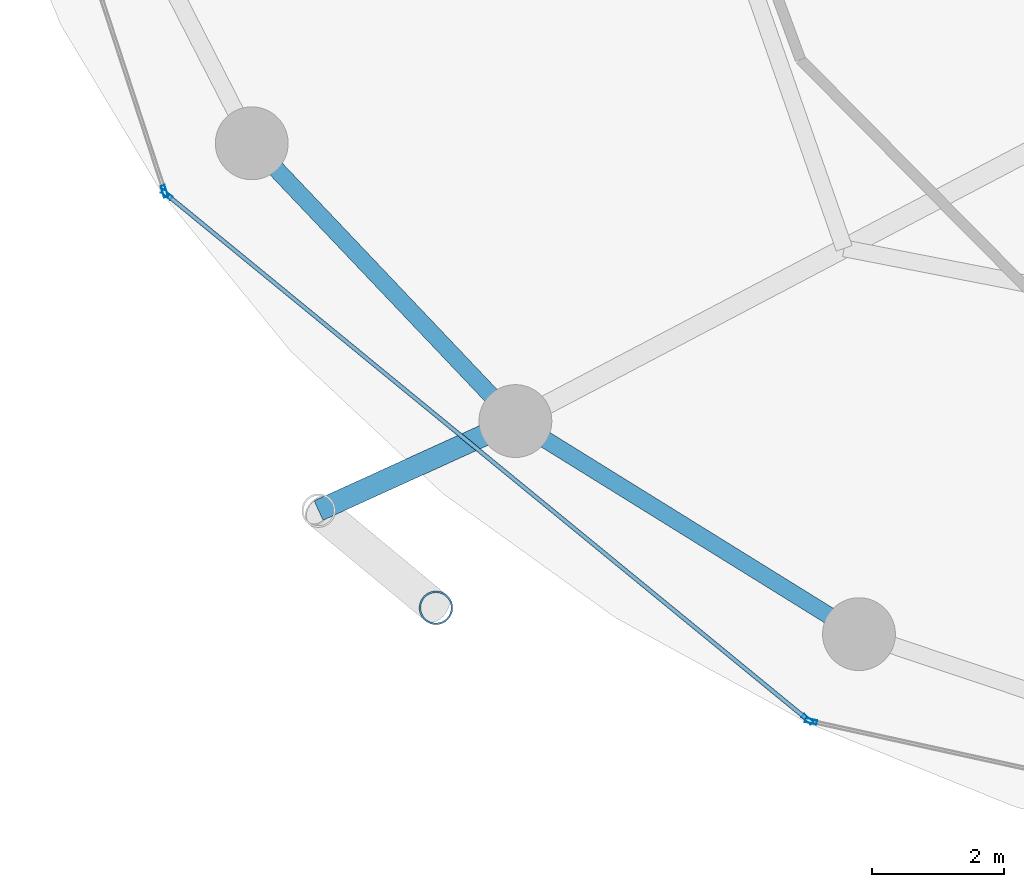
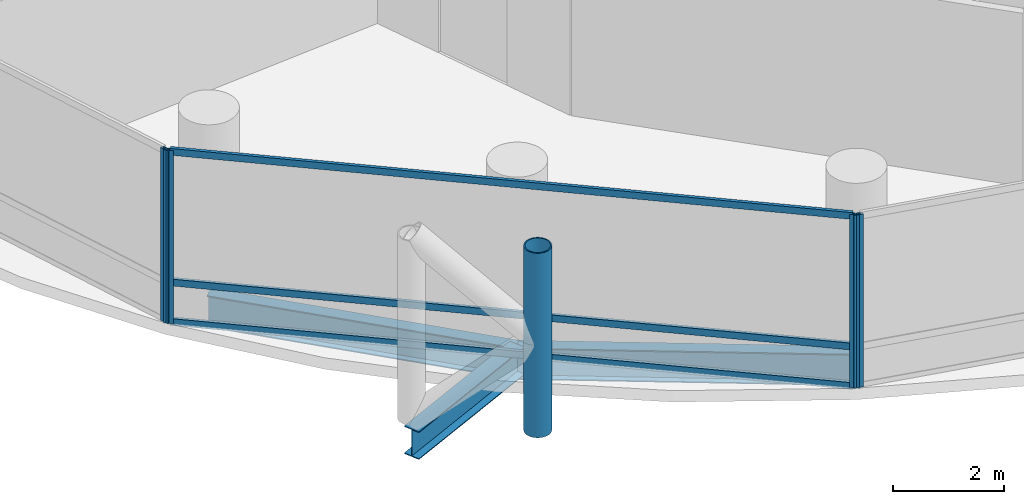
# One storey, part 2 of 24: 8 members, 3 beams, 3 elements without a shape of their own.
"""IFC4 building model written with IfcOpenShell, lengths in metres."""

from ifc_helpers import new_model, si_unit, direction, frame, origin, origin_2d, place, context, subcontext, project, spatial, hollow_rectangle, hollow_circle, i_section, extrude, material, layer, layer_set, material_profile, profile_set, type_object, element, aggregate, save


model = new_model("IFC4")

# Units and contexts
model_context = context("Model", 3, precision=1e-05, world=origin(), true_north=direction((0.0, 1.0)))
body_context = subcontext(model_context, "Body", "Model", "MODEL_VIEW")
ifc_project = project(units=[si_unit("LENGTHUNIT", "METRE"), si_unit("AREAUNIT", "SQUARE_METRE"), si_unit("VOLUMEUNIT", "CUBIC_METRE"), si_unit("PLANEANGLEUNIT", "RADIAN"), si_unit("MASSUNIT", "GRAM", prefix="KILO")], contexts=[model_context])

# Site, building, storey
site_placement = place(None, origin())
site = spatial("IfcSite", under=ifc_project, at=site_placement, CompositionType="ELEMENT")
building_placement = place(site_placement, origin())
building = spatial("IfcBuilding", under=site, at=building_placement, Name="Nuhasar Tower", CompositionType="ELEMENT")
storey_placement = place(building_placement, frame((0.0, 0.0, 89.85009765625)))
storey = spatial("IfcBuildingStorey", under=building, at=storey_placement, Name="L21", CompositionType="ELEMENT", Elevation=89.85009765625)

# Beams
ifc_material_1 = material(Name="Steel S355", Category="steel")
ifc_material_profile_1 = material_profile(ifc_material_1, i_section(OverallWidth=0.256103515625, OverallDepth=0.693115234375, WebThickness=0.014404296875, FlangeThickness=0.023681640625, at=origin_2d()), Name="W27X114")
ifc_profile_set_1 = profile_set([ifc_material_profile_1], Name="Steel S355")
beam_type_1 = type_object("IfcBeamType", Name="BM-RING-W27X114", PredefinedType="SPANDREL", material=ifc_profile_set_1)
beam_1_placement = place(storey_placement, frame((17.305908203125, 16.675048828125, -0.59716796875), z_axis=(0.688459812429, -0.725274490569, 0.0), x_axis=(0.725274490569, 0.688459812429, 0.0)))
element("IfcBeam", 1, at=beam_1_placement, inside=storey, type_object=beam_type_1, Name="L21 Perimeter Ring Spandrel 15", PredefinedType="SPANDREL", context=body_context, shape_type="SweptSolid", body=[
    extrude(i_section(OverallWidth=0.256103515625, OverallDepth=0.693115234375, WebThickness=0.014404296875, FlangeThickness=0.023681640625, at=origin_2d()), origin(), (0.0, 0.0, 1.0), 5.78271484375),
])
beam_2_placement = place(storey_placement, frame((21.287109375, 12.48095703125, -0.59716796875), z_axis=(0.849795216549, -0.527112976439, 0.0), x_axis=(0.527112976439, 0.849795216549, 0.0)))
element("IfcBeam", 2, at=beam_2_placement, inside=storey, type_object=beam_type_1, Name="L21 Perimeter Ring Spandrel 16", PredefinedType="SPANDREL", context=body_context, shape_type="SweptSolid", body=[
    extrude(i_section(OverallWidth=0.256103515625, OverallDepth=0.693115234375, WebThickness=0.014404296875, FlangeThickness=0.023681640625, at=origin_2d()), origin(), (0.0, 0.0, 1.0), 6.10498046875),
])
ifc_material_profile_2 = material_profile(ifc_material_1, i_section(OverallWidth=0.323974609375, OverallDepth=0.611083984375, WebThickness=0.0126953125, FlangeThickness=0.01904296875, at=origin_2d()), Name="W24X104")
ifc_profile_set_2 = profile_set([ifc_material_profile_2], Name="Steel S355")
beam_type_2 = type_object("IfcBeamType", Name="BM-TIE-W24X104", PredefinedType="BEAM", material=ifc_profile_set_2)
beam_3_placement = place(storey_placement, frame((21.287109375, 12.48095703125, -0.55615234375), z_axis=(-0.910243528587, -0.414073325227, 0.0), x_axis=(0.414073325227, -0.910243528587, 0.0)))
element("IfcBeam", 3, at=beam_3_placement, inside=storey, type_object=beam_type_2, Name="L21 Exoskeleton Node Tie Beam 08", PredefinedType="BEAM", context=body_context, shape_type="SweptSolid", body=[
    extrude(i_section(OverallWidth=0.323974609375, OverallDepth=0.611083984375, WebThickness=0.0126953125, FlangeThickness=0.01904296875, at=origin_2d()), origin(), (0.0, 0.0, 1.0), 3.26513671875),
])

# Curtain wall, member
ifc_material_2 = material(Name="Aluminium 6063-T6", Category="aluminium")
ifc_layer = layer(ifc_material_2, 0.199951171875)
ifc_layer_set = layer_set([ifc_layer], Name="Aluminium 6063-T6")
curtain_wall_type = type_object("IfcCurtainWallType", Name="CW-Z1-OFF", PredefinedType="NOTDEFINED", material=ifc_layer_set)
curtain_wall_1_placement = place(storey_placement, origin())
curtain_wall_1 = element("IfcCurtainWall", 4, at=curtain_wall_1_placement, inside=storey, type_object=curtain_wall_type, Name="L21 Unitised Curtain Wall 07", PredefinedType="NOTDEFINED")
ifc_material_profile_3 = material_profile(ifc_material_2, hollow_rectangle(XDim=0.06494140625, YDim=0.179931640625, WallThickness=0.0048828125, at=origin_2d()), Name="CWM-2")
ifc_profile_set_3 = profile_set([ifc_material_profile_3], Name="Aluminium 6063-T6")
member_type_1 = type_object("IfcMemberType", Name="CW-MUL-S2", PredefinedType="MULLION", material=ifc_profile_set_3)
member_1_placement = place(storey_placement, frame((15.98779296875, 15.950927734375, 0.0), z_axis=(0.0, 0.0, 1.0), x_axis=(0.950467534571, 0.310823849997, 0.0)))
member_1 = element("IfcMember", 5, at=member_1_placement, type_object=member_type_1, Name="CW-Z1 mullion 2", PredefinedType="MULLION", context=body_context, shape_type="SweptSolid", body=[
    extrude(hollow_rectangle(XDim=0.06494140625, YDim=0.179931640625, WallThickness=0.0048828125, at=origin_2d()), origin(), (0.0, 0.0, 1.0), 3.7998046875),
])
aggregate(curtain_wall_1, [member_1])

# Curtain wall, members
curtain_wall_2_placement = place(storey_placement, origin())
curtain_wall_2 = element("IfcCurtainWall", 6, at=curtain_wall_2_placement, inside=storey, type_object=curtain_wall_type, Name="L21 Unitised Curtain Wall 08", PredefinedType="NOTDEFINED")
member_2_placement = place(storey_placement, frame((16.023193359375, 15.8994140625, 0.0), z_axis=(0.0, 0.0, 1.0), x_axis=(0.633744593376, 0.773542364946, 0.0)))
member_2 = element("IfcMember", 7, at=member_2_placement, type_object=member_type_1, Name="CW-Z1 mullion 1", PredefinedType="MULLION", context=body_context, shape_type="SweptSolid", body=[
    extrude(hollow_rectangle(XDim=0.06494140625, YDim=0.179931640625, WallThickness=0.0048828125, at=origin_2d()), origin(), (0.0, 0.0, 1.0), 3.7998046875),
])
member_3_placement = place(storey_placement, frame((25.69482421875, 7.9755859375, 0.0), z_axis=(0.0, 0.0, 1.0), x_axis=(0.633744593376, 0.773542364946, 0.0)))
member_3 = element("IfcMember", 8, at=member_3_placement, type_object=member_type_1, Name="CW-Z1 mullion 2", PredefinedType="MULLION", context=body_context, shape_type="SweptSolid", body=[
    extrude(hollow_rectangle(XDim=0.06494140625, YDim=0.179931640625, WallThickness=0.0048828125, at=origin_2d()), origin(), (0.0, 0.0, 1.0), 3.7998046875),
])

# Curtain wall, member
curtain_wall_3_placement = place(storey_placement, origin())
curtain_wall_3 = element("IfcCurtainWall", 9, at=curtain_wall_3_placement, inside=storey, type_object=curtain_wall_type, Name="L21 Unitised Curtain Wall 09", PredefinedType="NOTDEFINED")
member_4_placement = place(storey_placement, frame((25.751708984375, 7.947998046875, 0.0), z_axis=(0.0, 0.0, 1.0), x_axis=(0.214398737637, 0.976746221544, 0.0)))
member_4 = element("IfcMember", 10, at=member_4_placement, type_object=member_type_1, Name="CW-Z1 mullion 1", PredefinedType="MULLION", context=body_context, shape_type="SweptSolid", body=[
    extrude(hollow_rectangle(XDim=0.06494140625, YDim=0.179931640625, WallThickness=0.0048828125, at=origin_2d()), origin(), (0.0, 0.0, 1.0), 3.7998046875),
])
aggregate(curtain_wall_3, [member_4])

# Member
ifc_material_profile_4 = material_profile(ifc_material_2, hollow_rectangle(XDim=0.06494140625, YDim=0.14990234375, WallThickness=0.00439453125, at=origin_2d()), Name="CWT-2")
ifc_profile_set_4 = profile_set([ifc_material_profile_4], Name="Aluminium 6063-T6")
member_type_2 = type_object("IfcMemberType", Name="CW-TRN-S2", PredefinedType="USERDEFINED", material=ifc_profile_set_4)
member_5_placement = place(storey_placement, frame((16.04833984375, 15.87890625, 0.032470703125), z_axis=(0.773531229158, -0.633758185365, 0.0), x_axis=(0.633758185365, 0.773531229158, 0.0)))
member_5 = element("IfcMember", 11, at=member_5_placement, type_object=member_type_2, Name="CW-Z1 transom 1.1", ObjectType="TRANSOM", PredefinedType="USERDEFINED", context=body_context, shape_type="SweptSolid", body=[
    extrude(hollow_rectangle(XDim=0.06494140625, YDim=0.14990234375, WallThickness=0.00439453125, at=origin_2d()), origin(), (0.0, 0.0, 1.0), 12.438232421875),
])

member_6_placement = place(storey_placement, frame((16.04833984375, 15.87890625, 0.89990234375), z_axis=(0.773531229158, -0.633758185365, 0.0), x_axis=(0.633758185365, 0.773531229158, 0.0)))
member_6 = element("IfcMember", 12, at=member_6_placement, type_object=member_type_2, Name="CW-Z1 transom 1.2", ObjectType="TRANSOM", PredefinedType="USERDEFINED", context=body_context, shape_type="SweptSolid", body=[
    extrude(hollow_rectangle(XDim=0.06494140625, YDim=0.14990234375, WallThickness=0.00439453125, at=origin_2d()), origin(), (0.0, 0.0, 1.0), 12.438232421875),
])

member_7_placement = place(storey_placement, frame((16.04833984375, 15.87890625, 3.767333984375), z_axis=(0.773531229158, -0.633758185365, 0.0), x_axis=(0.633758185365, 0.773531229158, 0.0)))
member_7 = element("IfcMember", 13, at=member_7_placement, type_object=member_type_2, Name="CW-Z1 transom 1.3", ObjectType="TRANSOM", PredefinedType="USERDEFINED", context=body_context, shape_type="SweptSolid", body=[
    extrude(hollow_rectangle(XDim=0.06494140625, YDim=0.14990234375, WallThickness=0.00439453125, at=origin_2d()), origin(), (0.0, 0.0, 1.0), 12.438232421875),
])

aggregate(curtain_wall_2, [member_2, member_3, member_5, member_6, member_7])

ifc_material_3 = material(Name="Steel S460", Category="steel")
ifc_material_profile_5 = material_profile(ifc_material_3, hollow_circle(Radius=0.25390625, WallThickness=0.025390625, at=origin_2d()), Name="HSS508X25.4")
ifc_profile_set_5 = profile_set([ifc_material_profile_5], Name="Steel S460")
member_type_3 = type_object("IfcMemberType", Name="EXO-BRONZE-508", PredefinedType="BRACE", material=ifc_profile_set_5)
member_8_placement = place(storey_placement, frame((20.0869140625, 9.660888671875, 0.0), z_axis=(0.0, 0.0, 1.0), x_axis=(1.0, 0.0, 0.0)))
element("IfcMember", 14, at=member_8_placement, inside=storey, type_object=member_type_3, Name="L21 Exoskeleton Chord Column EC-08B", PredefinedType="BRACE", context=body_context, shape_type="SweptSolid", body=[
    extrude(hollow_circle(Radius=0.25390625, WallThickness=0.025390625, at=origin_2d()), origin(), (0.0, 0.0, 1.0), 4.0498046875),
])

save(model, "model.ifc")
